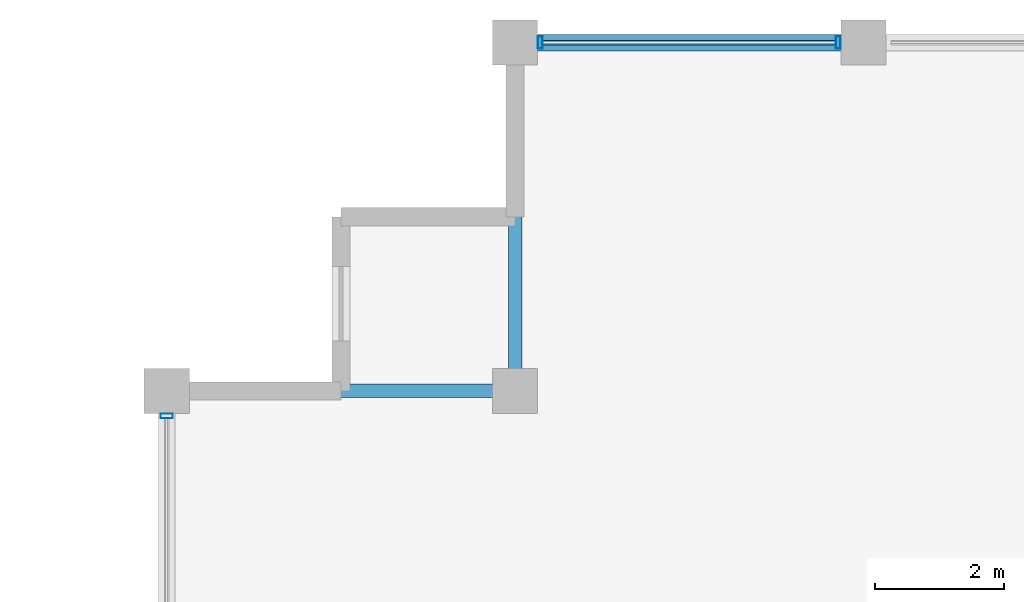
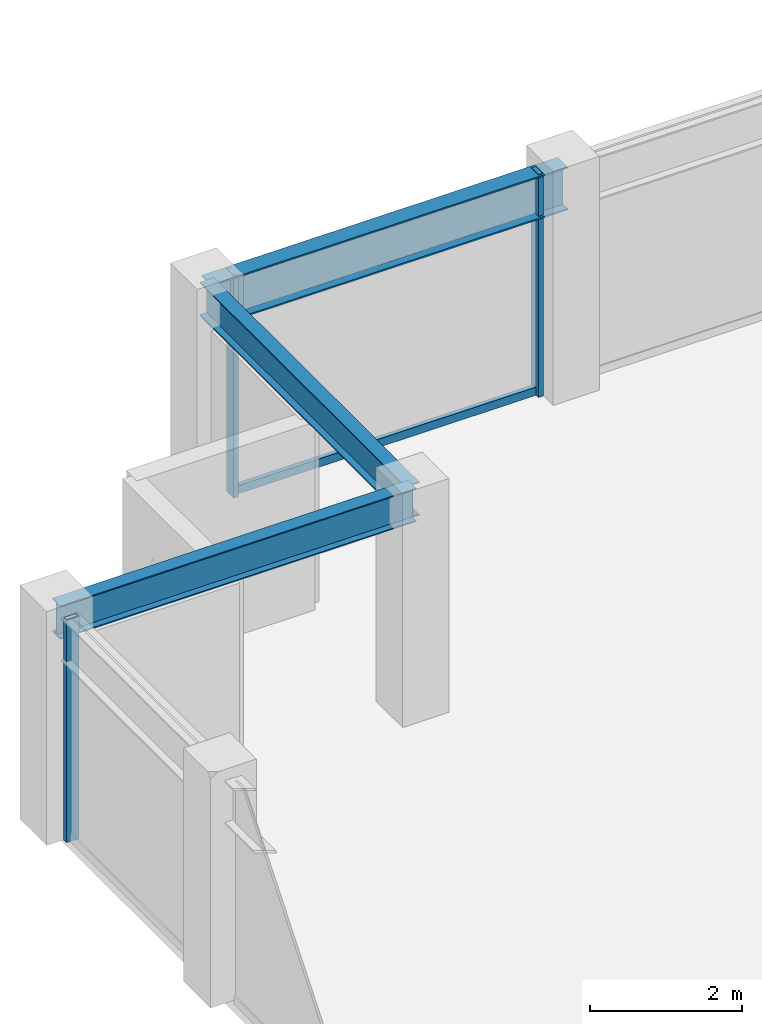
# One storey, part 15 of 31: 4 members, 3 beams, 2 elements without a shape of their own.
"""IFC4 building model written with IfcOpenShell, lengths in metres."""

from ifc_helpers import new_model, si_unit, direction, frame, origin, origin_2d, place, context, subcontext, project, spatial, hollow_rectangle, i_section, extrude, material, layer, layer_set, material_profile, profile_set, type_object, element, aggregate, save


model = new_model("IFC4")

# Units and contexts
model_context = context("Model", 3, precision=1e-05, world=origin(), true_north=direction((0.0, 1.0)))
body_context = subcontext(model_context, "Body", "Model", "MODEL_VIEW")
ifc_project = project(units=[si_unit("LENGTHUNIT", "METRE"), si_unit("AREAUNIT", "SQUARE_METRE"), si_unit("VOLUMEUNIT", "CUBIC_METRE"), si_unit("PLANEANGLEUNIT", "RADIAN"), si_unit("MASSUNIT", "GRAM", prefix="KILO")], contexts=[model_context])

# Site, building, storey
site_placement = place(None, origin())
site = spatial("IfcSite", under=ifc_project, at=site_placement, CompositionType="ELEMENT")
building_placement = place(site_placement, origin())
building = spatial("IfcBuilding", under=site, at=building_placement, Name="Surkhivell Harbour Commons", CompositionType="ELEMENT")
storey_placement = place(building_placement, frame((0.0, 0.0, 315.0)))
storey = spatial("IfcBuildingStorey", under=building, at=storey_placement, Name="L82", CompositionType="ELEMENT", Elevation=315.0)

# Beams
ifc_material_1 = material(Name="Steel S355", Category="steel")
ifc_material_profile_1 = material_profile(ifc_material_1, i_section(OverallWidth=0.2099609375, OverallDepth=0.537109375, WebThickness=0.0107421875, FlangeThickness=0.017333984375, at=origin_2d()), Name="UB533x210x101")
ifc_profile_set_1 = profile_set([ifc_material_profile_1], Name="Steel S355")
beam_type_1 = type_object("IfcBeamType", Name="BM-GRD-533B", PredefinedType="BEAM", material=ifc_profile_set_1)
for number, where, z_axis, x_axis, name in (
    (1, (-27.0, 20.5, 3.301513671875), (1.0, 0.0, 0.0), (0.0, 1.0, 0.0), "L82 Floor Girder (-27.0,20.5)"),
    (2, (-21.60009765625, 20.5, 3.301513671875), (0.0, 1.0, 0.0), (-1.0, 0.0, 0.0), "L82 Floor Girder (-21.6,20.5)"),
):
    element("IfcBeam", number, at=place(storey_placement, frame(where, z_axis=z_axis, x_axis=x_axis)), inside=storey, type_object=beam_type_1, Name=name, PredefinedType="BEAM", context=body_context, shape_type="SweptSolid", body=[
        extrude(i_section(OverallWidth=0.2099609375, OverallDepth=0.537109375, WebThickness=0.0107421875, FlangeThickness=0.017333984375, at=origin_2d()), origin(), (0.0, 0.0, 1.0), 5.39990234375),
    ])
ifc_material_profile_2 = material_profile(ifc_material_1, i_section(OverallWidth=0.256103515625, OverallDepth=0.693115234375, WebThickness=0.014404296875, FlangeThickness=0.023681640625, at=origin_2d()), Name="UB686x254x170")
ifc_profile_set_2 = profile_set([ifc_material_profile_2], Name="Steel S355")
beam_type_2 = type_object("IfcBeamType", Name="BM-SPN-686", PredefinedType="SPANDREL", material=ifc_profile_set_2)
beam_placement = place(storey_placement, frame((-21.60009765625, 25.89990234375, 3.223388671875), z_axis=(1.0, 0.0, 0.0), x_axis=(0.0, 1.0, 0.0)))
element("IfcBeam", 3, at=beam_placement, inside=storey, type_object=beam_type_2, Name="L82 Tube Spandrel (-21.6,25.9)", PredefinedType="SPANDREL", context=body_context, shape_type="SweptSolid", body=[
    extrude(i_section(OverallWidth=0.256103515625, OverallDepth=0.693115234375, WebThickness=0.014404296875, FlangeThickness=0.023681640625, at=origin_2d()), origin(), (0.0, 0.0, 1.0), 5.400146484375),
])

# Curtain wall, members
ifc_material_2 = material(Name="Anodised pale-metal aluminium and insulated glazing", Category="aluminium")
ifc_layer = layer(ifc_material_2, 0.175048828125)
ifc_layer_set = layer_set([ifc_layer], Name="Anodised pale-metal aluminium and insulated glazing")
curtain_wall_type = type_object("IfcCurtainWallType", Name="CW-SYS-Z4", PredefinedType="NOTDEFINED", material=ifc_layer_set)
curtain_wall_1_placement = place(storey_placement, origin())
curtain_wall_1 = element("IfcCurtainWall", 4, at=curtain_wall_1_placement, inside=storey, type_object=curtain_wall_type, Name="L82 Curtain Wall CW-L82-E07S2", PredefinedType="NOTDEFINED")
ifc_material_3 = material(Name="Anodised pale-metal aluminium alloy 6063-T6", Category="aluminium")
ifc_material_profile_3 = material_profile(ifc_material_3, hollow_rectangle(XDim=0.074951171875, YDim=0.18994140625, WallThickness=0.00390625, at=origin_2d()), Name="ALU-MULL-75x190")
ifc_profile_set_3 = profile_set([ifc_material_profile_3], Name="Anodised pale-metal aluminium alloy 6063-T6")
member_type_1 = type_object("IfcMemberType", Name="CWM-190", PredefinedType="MULLION", material=ifc_profile_set_3)
member_1_placement = place(storey_placement, frame((-16.589599609375, 25.89990234375, 0.0), z_axis=(0.0, 0.0, 1.0), x_axis=(-1.0, 0.0, 0.0)))
member_1 = element("IfcMember", 5, at=member_1_placement, type_object=member_type_1, Name="CW-Z4 mullion 3", PredefinedType="MULLION", context=body_context, shape_type="SweptSolid", body=[
    extrude(hollow_rectangle(XDim=0.074951171875, YDim=0.18994140625, WallThickness=0.00390625, at=origin_2d()), origin(), (0.0, 0.0, 1.0), 3.570068359375),
])
member_2_placement = place(storey_placement, frame((-21.21044921875, 25.89990234375, 0.0), z_axis=(0.0, 0.0, 1.0), x_axis=(-1.0, 0.0, 0.0)))
member_2 = element("IfcMember", 6, at=member_2_placement, type_object=member_type_1, Name="CW-Z4 mullion 4", PredefinedType="MULLION", context=body_context, shape_type="SweptSolid", body=[
    extrude(hollow_rectangle(XDim=0.074951171875, YDim=0.18994140625, WallThickness=0.00390625, at=origin_2d()), origin(), (0.0, 0.0, 1.0), 3.570068359375),
])

# Curtain wall, member
curtain_wall_2_placement = place(storey_placement, origin())
curtain_wall_2 = element("IfcCurtainWall", 7, at=curtain_wall_2_placement, inside=storey, type_object=curtain_wall_type, Name="L82 Curtain Wall CW-L82-E12R2", PredefinedType="NOTDEFINED")
member_3_placement = place(storey_placement, frame((-27.0, 20.110595703125, 0.0), z_axis=(0.0, 0.0, 1.0), x_axis=(0.0, 1.0, 0.0)))
member_3 = element("IfcMember", 8, at=member_3_placement, type_object=member_type_1, Name="CW-Z4 mullion 4", PredefinedType="MULLION", context=body_context, shape_type="SweptSolid", body=[
    extrude(hollow_rectangle(XDim=0.074951171875, YDim=0.18994140625, WallThickness=0.00390625, at=origin_2d()), origin(), (0.0, 0.0, 1.0), 3.570068359375),
])
aggregate(curtain_wall_2, [member_3])

# Member
ifc_material_4 = material(Name="Champagne anodised aluminium alloy 6063-T6", Category="aluminium")
ifc_material_profile_4 = material_profile(ifc_material_4, hollow_rectangle(XDim=0.070068359375, YDim=0.1298828125, WallThickness=0.00341796875, at=origin_2d()), Name="ALU-TRAN-70x130")
ifc_profile_set_4 = profile_set([ifc_material_profile_4], Name="Champagne anodised aluminium alloy 6063-T6")
member_type_2 = type_object("IfcMemberType", Name="CWT-130", PredefinedType="USERDEFINED", material=ifc_profile_set_4)
member_4_placement = place(storey_placement, frame((-16.626953125, 25.89990234375, 0.06494140625), z_axis=(-1.0, 0.0, 0.0), x_axis=(0.0, -1.0, 0.0)))
member_4 = element("IfcMember", 9, at=member_4_placement, type_object=member_type_2, Name="CW-Z4 transom 3.1", ObjectType="TRANSOM", PredefinedType="USERDEFINED", context=body_context, shape_type="SweptSolid", body=[
    extrude(hollow_rectangle(XDim=0.070068359375, YDim=0.1298828125, WallThickness=0.00341796875, at=origin_2d()), origin(), (0.0, 0.0, 1.0), 4.546142578125),
])

aggregate(curtain_wall_1, [member_1, member_2, member_4])

save(model, "model.ifc")
